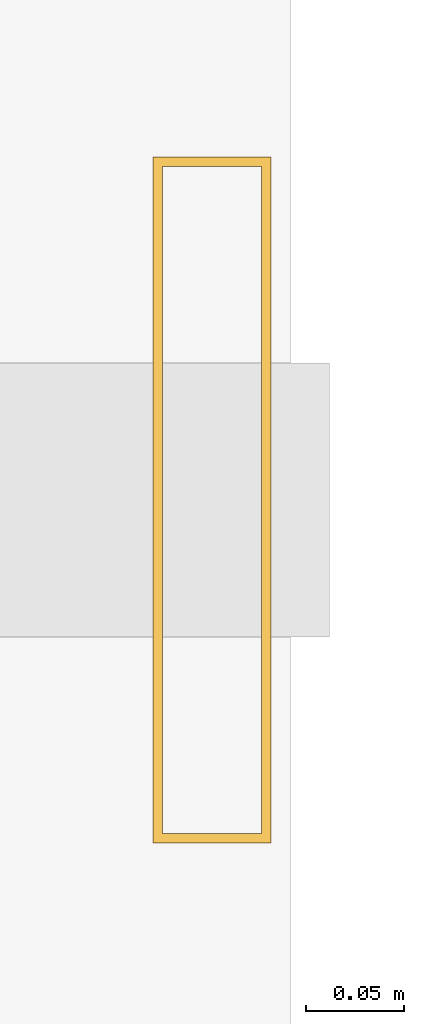
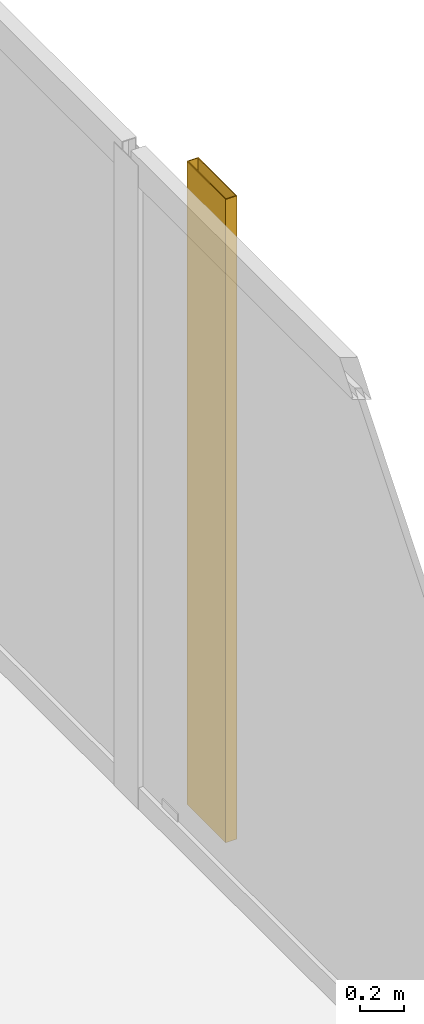
# One storey, part 30 of 30: 1 shading device.
"""IFC4 building model written with IfcOpenShell, lengths in metres."""

from ifc_helpers import new_model, si_unit, direction, frame, origin, origin_2d, place, context, subcontext, project, spatial, hollow_rectangle, extrude, material, material_profile, profile_set, type_object, element, save


model = new_model("IFC4")

# Units and contexts
model_context = context("Model", 3, precision=1e-05, world=origin(), true_north=direction((0.0, 1.0)))
body_context = subcontext(model_context, "Body", "Model", "MODEL_VIEW")
ifc_project = project(units=[si_unit("LENGTHUNIT", "METRE"), si_unit("AREAUNIT", "SQUARE_METRE"), si_unit("VOLUMEUNIT", "CUBIC_METRE"), si_unit("PLANEANGLEUNIT", "RADIAN"), si_unit("MASSUNIT", "GRAM", prefix="KILO")], contexts=[model_context])

# Site, building, storey
site_placement = place(None, origin())
site = spatial("IfcSite", under=ifc_project, at=site_placement, CompositionType="ELEMENT")
building_placement = place(site_placement, origin())
building = spatial("IfcBuilding", under=site, at=building_placement, Name="Kolvaren Waterfront Exchange", CompositionType="ELEMENT")
storey_placement = place(building_placement, frame((0.0, 0.0, 52.39990234375)))
storey = spatial("IfcBuildingStorey", under=building, at=storey_placement, Name="L13", CompositionType="ELEMENT", Elevation=52.39990234375)

# Shading device
ifc_material = material(Name="Anodised bronze aluminium 6063-T6", Category="aluminium")
ifc_material_profile = material_profile(ifc_material, hollow_rectangle(XDim=0.06005859375, YDim=0.35009765625, WallThickness=0.0048828125, at=origin_2d()), Name="BRZ-FIN-350x60x5")
ifc_profile_set = profile_set([ifc_material_profile], Name="Anodised bronze aluminium 6063-T6")
shading_device_type = type_object("IfcShadingDeviceType", Name="ARC-FIN-350", PredefinedType="USERDEFINED", material=ifc_profile_set)
shading_device_placement = place(storey_placement, frame((25.56005859375, 35.60009765625, 0.0), z_axis=(0.0, 0.0, 1.0), x_axis=(1.0, 0.0, 0.0)))
element("IfcShadingDevice", 1, at=shading_device_placement, inside=storey, type_object=shading_device_type, Name="L13 anodised bronze solar shading fin FIN-L13-E3", ObjectType="SOLAR FIN", PredefinedType="USERDEFINED", context=body_context, shape_type="SweptSolid", body=[
    extrude(hollow_rectangle(XDim=0.06005859375, YDim=0.35009765625, WallThickness=0.0048828125, at=origin_2d()), origin(), (0.0, 0.0, 1.0), 3.5400390625),
])

save(model, "model.ifc")
